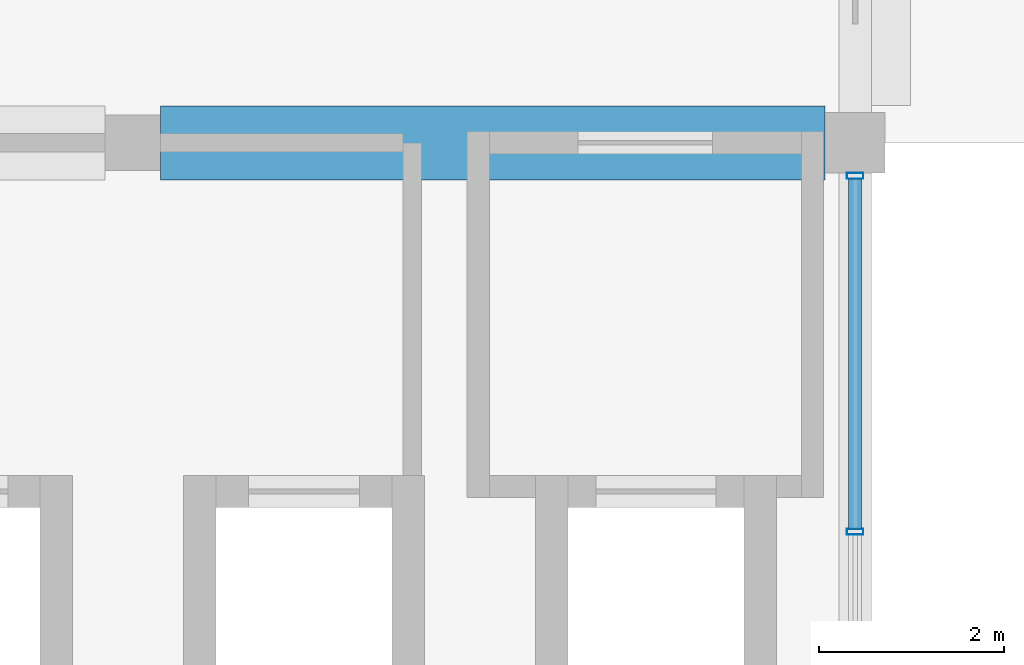
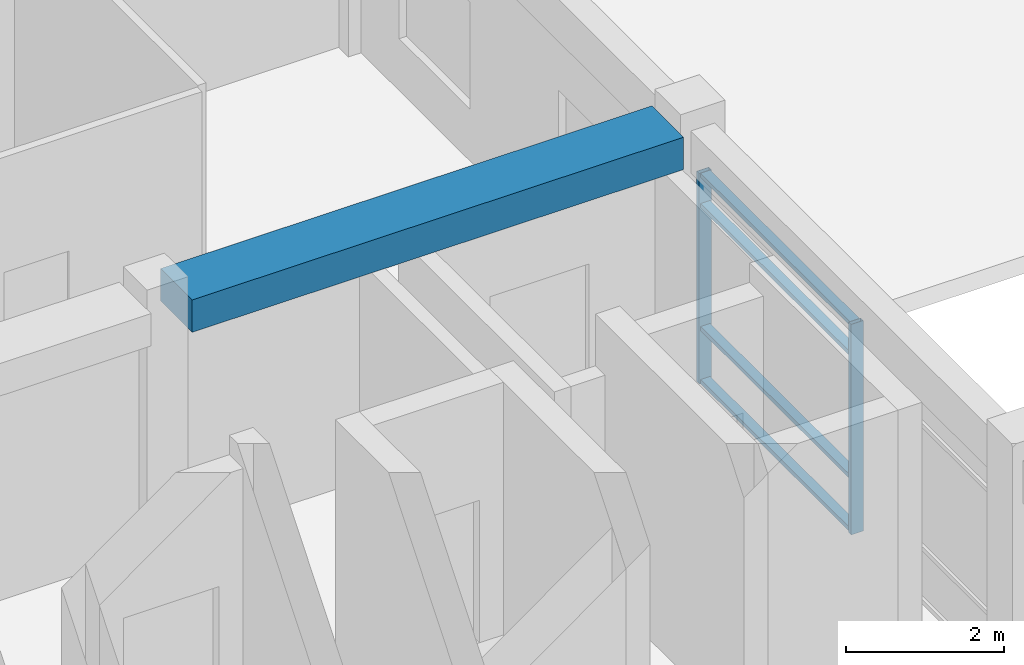
# One storey, part 6 of 32: 6 members, 1 beam, 1 element without a shape of its own.
"""IFC4 building model written with IfcOpenShell, lengths in metres."""

from ifc_helpers import new_model, si_unit, direction, frame, origin, origin_2d, place, context, subcontext, project, spatial, rectangle, hollow_rectangle, extrude, material, material_profile, profile_set, type_object, element, aggregate, save


model = new_model("IFC4")

# Units and contexts
model_context = context("Model", 3, precision=1e-05, world=origin(), true_north=direction((0.0, 1.0)))
body_context = subcontext(model_context, "Body", "Model", "MODEL_VIEW")
ifc_project = project(units=[si_unit("LENGTHUNIT", "METRE"), si_unit("AREAUNIT", "SQUARE_METRE"), si_unit("VOLUMEUNIT", "CUBIC_METRE"), si_unit("PLANEANGLEUNIT", "RADIAN"), si_unit("MASSUNIT", "GRAM", prefix="KILO"), si_unit("THERMODYNAMICTEMPERATUREUNIT", "KELVIN"), si_unit("POWERUNIT", "WATT")], contexts=[model_context])

# Site, building, storey
site_placement = place(None, origin())
site = spatial("IfcSite", under=ifc_project, at=site_placement, CompositionType="ELEMENT")
building_placement = place(site_placement, origin())
building = spatial("IfcBuilding", under=site, at=building_placement, Name="Srebrne Nadtorze General Hospital", CompositionType="ELEMENT")
storey_placement = place(building_placement, frame((0.0, 0.0, 29.699951171875)))
storey = spatial("IfcBuildingStorey", under=building, at=storey_placement, Name="L07", CompositionType="ELEMENT", Elevation=29.699951171875)

# Curtain wall, members
ifc_material_1 = material(Name="Anodised Aluminium", Category="aluminium")
curtain_wall_type = type_object("IfcCurtainWallType", Name="Unitised curtain wall 7750x3250", PredefinedType="NOTDEFINED", material=ifc_material_1)
curtain_wall_placement = place(storey_placement, origin())
curtain_wall = element("IfcCurtainWall", 1, at=curtain_wall_placement, inside=storey, type_object=curtain_wall_type, Name="Curtain wall CW-155", PredefinedType="NOTDEFINED")
ifc_material_2 = material(Name="Anodised Aluminium", Category="aluminium")
ifc_material_profile_1 = material_profile(ifc_material_2, hollow_rectangle(XDim=0.06494140625, YDim=0.179931640625, WallThickness=0.00390625, at=origin_2d()), Name="AL-MUL-65x180")
ifc_profile_set_1 = profile_set([ifc_material_profile_1], Name="Anodised Aluminium")
member_type_1 = type_object("IfcMemberType", Name="Curtain mullion 65x180", PredefinedType="MULLION", material=ifc_profile_set_1)
member_1_placement = place(storey_placement, frame((54.60009765625, 46.199951171875, 0.0), z_axis=(0.0, 0.0, 1.0), x_axis=(0.0, 1.0, 0.0)))
member_1 = element("IfcMember", 2, at=member_1_placement, type_object=member_type_1, Name="CW-155 mullion 2", PredefinedType="MULLION", context=body_context, shape_type="SweptSolid", body=[
    extrude(hollow_rectangle(XDim=0.06494140625, YDim=0.179931640625, WallThickness=0.00390625, at=origin_2d()), origin(), (0.0, 0.0, 1.0), 3.25),
])
member_2_placement = place(storey_placement, frame((54.60009765625, 50.04248046875, 0.0), z_axis=(0.0, 0.0, 1.0), x_axis=(0.0, 1.0, 0.0)))
member_2 = element("IfcMember", 3, at=member_2_placement, type_object=member_type_1, Name="CW-155 mullion 3", PredefinedType="MULLION", context=body_context, shape_type="SweptSolid", body=[
    extrude(hollow_rectangle(XDim=0.06494140625, YDim=0.179931640625, WallThickness=0.00390625, at=origin_2d()), origin(), (0.0, 0.0, 1.0), 3.25),
])
ifc_material_3 = material(Name="Anodised Aluminium", Category="aluminium")
ifc_material_profile_2 = material_profile(ifc_material_3, hollow_rectangle(XDim=0.06494140625, YDim=0.139892578125, WallThickness=0.00390625, at=origin_2d()), Name="AL-TRN-65x140")
ifc_profile_set_2 = profile_set([ifc_material_profile_2], Name="Anodised Aluminium")
member_type_2 = type_object("IfcMemberType", Name="Curtain transom 65x140", PredefinedType="USERDEFINED", material=ifc_profile_set_2)
member_3_placement = place(storey_placement, frame((54.60009765625, 46.232421875, 0.032470703125), z_axis=(0.0, 1.0, 0.0), x_axis=(0.0, 0.0, 1.0)))
member_3 = element("IfcMember", 4, at=member_3_placement, type_object=member_type_2, Name="CW-155 transom 2.1", ObjectType="TRANSOM", PredefinedType="USERDEFINED", context=body_context, shape_type="SweptSolid", body=[
    extrude(hollow_rectangle(XDim=0.06494140625, YDim=0.139892578125, WallThickness=0.00390625, at=origin_2d()), origin(), (0.0, 0.0, 1.0), 3.777587890625),
])
member_4_placement = place(storey_placement, frame((54.60009765625, 46.232421875, 0.85009765625), z_axis=(0.0, 1.0, 0.0), x_axis=(0.0, 0.0, 1.0)))
member_4 = element("IfcMember", 5, at=member_4_placement, type_object=member_type_2, Name="CW-155 transom 2.2", ObjectType="TRANSOM", PredefinedType="USERDEFINED", context=body_context, shape_type="SweptSolid", body=[
    extrude(hollow_rectangle(XDim=0.06494140625, YDim=0.139892578125, WallThickness=0.00390625, at=origin_2d()), origin(), (0.0, 0.0, 1.0), 3.777587890625),
])
member_5_placement = place(storey_placement, frame((54.60009765625, 46.232421875, 2.75), z_axis=(0.0, 1.0, 0.0), x_axis=(0.0, 0.0, 1.0)))
member_5 = element("IfcMember", 6, at=member_5_placement, type_object=member_type_2, Name="CW-155 transom 2.3", ObjectType="TRANSOM", PredefinedType="USERDEFINED", context=body_context, shape_type="SweptSolid", body=[
    extrude(hollow_rectangle(XDim=0.06494140625, YDim=0.139892578125, WallThickness=0.00390625, at=origin_2d()), origin(), (0.0, 0.0, 1.0), 3.777587890625),
])
member_6_placement = place(storey_placement, frame((54.60009765625, 46.232421875, 3.217529296875), z_axis=(0.0, 1.0, 0.0), x_axis=(0.0, 0.0, 1.0)))
member_6 = element("IfcMember", 7, at=member_6_placement, type_object=member_type_2, Name="CW-155 transom 2.4", ObjectType="TRANSOM", PredefinedType="USERDEFINED", context=body_context, shape_type="SweptSolid", body=[
    extrude(hollow_rectangle(XDim=0.06494140625, YDim=0.139892578125, WallThickness=0.00390625, at=origin_2d()), origin(), (0.0, 0.0, 1.0), 3.777587890625),
])
aggregate(curtain_wall, [member_1, member_2, member_3, member_4, member_5, member_6])

# Beam
ifc_material_4 = material(Name="Concrete C40/50", Category="concrete")
ifc_material_profile_3 = material_profile(ifc_material_4, rectangle(XDim=0.800048828125, YDim=0.5, at=origin_2d()), Name="RC-BM-800x500")
ifc_profile_set_3 = profile_set([ifc_material_profile_3], Name="Concrete C40/50")
beam_type = type_object("IfcBeamType", Name="Primary beam RC 800x500", PredefinedType="BEAM", material=ifc_profile_set_3)
beam_placement = place(storey_placement, frame((47.10009765625, 50.39990234375, 3.650146484375), z_axis=(1.0, 0.0, 0.0), x_axis=(0.0, 1.0, 0.0)))
element("IfcBeam", 8, at=beam_placement, inside=storey, type_object=beam_type, Name="Beam BM-L07-X-1262", PredefinedType="BEAM", context=body_context, shape_type="SweptSolid", body=[
    extrude(rectangle(XDim=0.800048828125, YDim=0.5, at=origin_2d()), origin(), (0.0, 0.0, 1.0), 7.1748046875),
])

save(model, "model.ifc")
